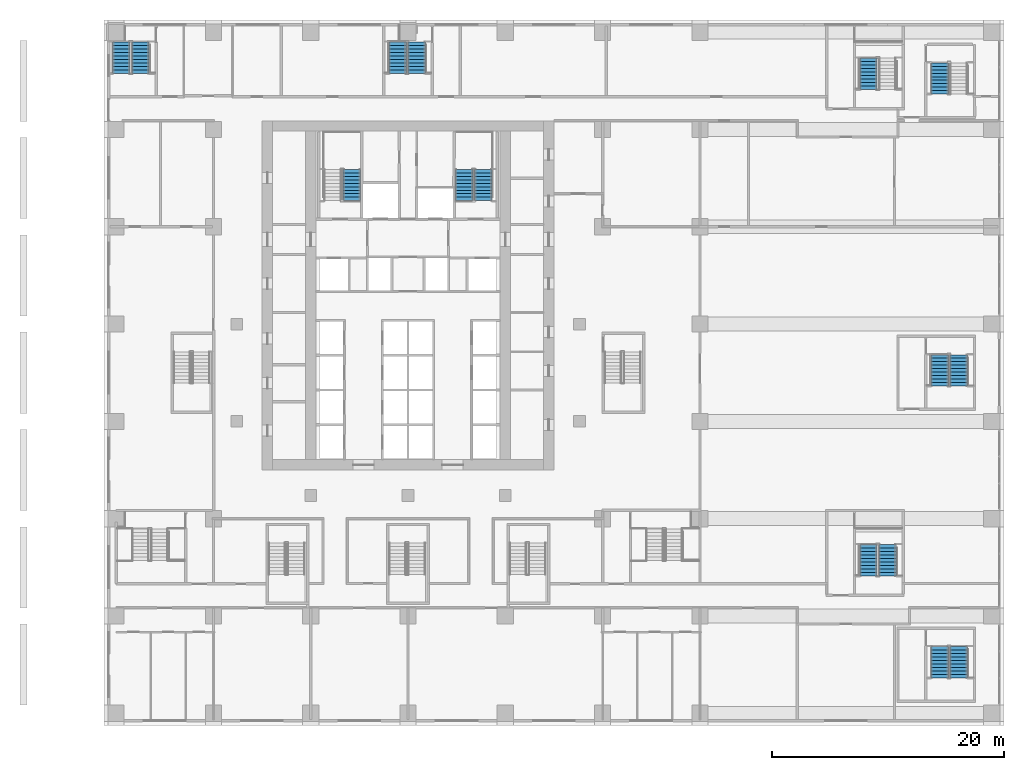
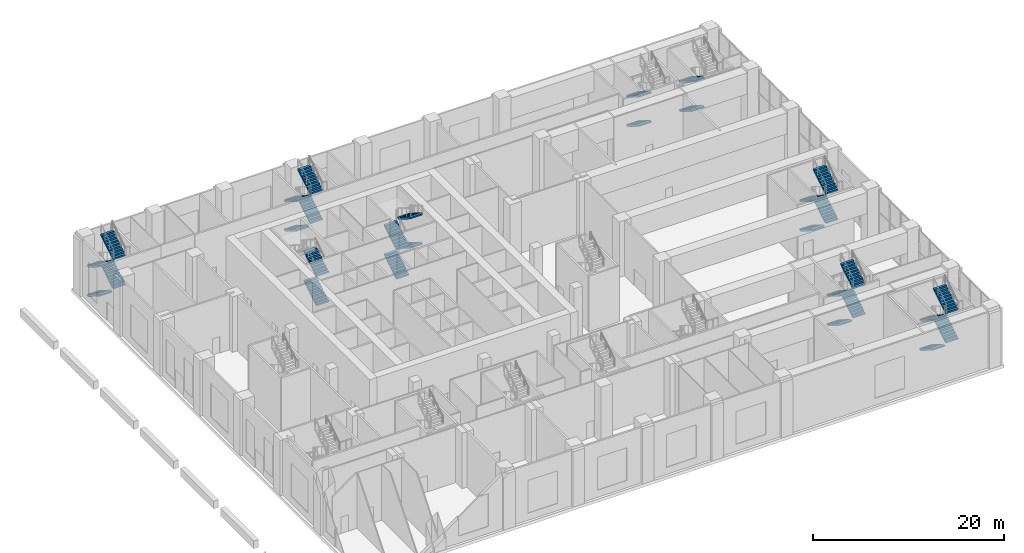
# One storey, part 16 of 29: 30 stair flights, 9 elements without a shape of their own.
"""IFC4 building model written with IfcOpenShell, lengths in metres."""

from ifc_helpers import new_model, si_unit, direction, frame, origin, place, context, subcontext, project, spatial, polyline, outline, extrude, material, type_object, element, aggregate, save


model = new_model("IFC4")

# Units and contexts
model_context = context("Model", 3, precision=1e-05, world=origin(), true_north=direction((0.0, 1.0)))
body_context = subcontext(model_context, "Body", "Model", "MODEL_VIEW")
ifc_project = project(units=[si_unit("LENGTHUNIT", "METRE"), si_unit("AREAUNIT", "SQUARE_METRE"), si_unit("VOLUMEUNIT", "CUBIC_METRE"), si_unit("PLANEANGLEUNIT", "RADIAN"), si_unit("MASSUNIT", "GRAM", prefix="KILO")], contexts=[model_context])

# Site, building, storey
site_placement = place(None, origin())
site = spatial("IfcSite", under=ifc_project, at=site_placement, CompositionType="ELEMENT")
building_placement = place(site_placement, origin())
building = spatial("IfcBuilding", under=site, at=building_placement, Name="Vermilion Ogive Tower", CompositionType="ELEMENT")
storey_placement = place(building_placement, frame((0.0, 0.0, 12.5)))
storey = spatial("IfcBuildingStorey", under=building, at=storey_placement, Name="L02", CompositionType="ELEMENT", Elevation=12.5)

# Stair, stair flights
ifc_material_1 = material(Name="Concrete B40", Category="concrete")
stair_type = type_object("IfcStairType", Name="Exit stair 1500", PredefinedType="HALF_TURN_STAIR", material=ifc_material_1)
stair_1_placement = place(storey_placement, origin())
stair_1 = element("IfcStair", 1, at=stair_1_placement, inside=storey, type_object=stair_type, Name="L02 Exit Stair ST1", PredefinedType="HALF_TURN_STAIR")
ifc_material_2 = material(Name="Concrete B40", Category="concrete")
stair_flight_type = type_object("IfcStairFlightType", Name="Stair flight 1500", PredefinedType="STRAIGHT", material=ifc_material_2)
stair_flight_1_placement = place(storey_placement, frame((-4.85009765625, 14.85009765625, 0.0), z_axis=(0.0, 0.0, 1.0), x_axis=(0.0, 1.0, 0.0)))
stair_flight_1 = element("IfcStairFlight", 2, at=stair_flight_1_placement, type_object=stair_flight_type, Name="ST1 flight 1", NumberOfRisers=10, NumberOfTreads=9, PredefinedType="STRAIGHT", RiserHeight=0.1875, TreadLength=0.3, context=body_context, shape_type="SweptSolid", body=[
    extrude(outline(polyline([(0.0, 0.0), (0.0, 0.1875), (0.300048828125, 0.1875), (0.300048828125, 0.375), (0.60009765625, 0.375), (0.60009765625, 0.5625), (0.89990234375, 0.5625), (0.89990234375, 0.75), (1.199951171875, 0.75), (1.199951171875, 0.9375), (1.5, 0.9375), (1.5, 1.125), (1.800048828125, 1.125), (1.800048828125, 1.3125), (2.10009765625, 1.3125), (2.10009765625, 1.5), (2.39990234375, 1.5), (2.39990234375, 1.6875), (2.699951171875, 1.6875), (2.699951171875, 1.875), (2.699951171875, 1.5107421875), (0.28271484375, 0.0), (0.0, 0.0)])), frame((0.0, 0.75, 0.0), z_axis=(0.0, -1.0, 0.0), x_axis=(1.0, 0.0, 0.0)), (0.0, 0.0, 1.0), 1.5),
])
stair_flight_2_placement = place(storey_placement, frame((-4.85009765625, 14.85009765625, 3.75), z_axis=(0.0, 0.0, 1.0), x_axis=(0.0, 1.0, 0.0)))
stair_flight_2 = element("IfcStairFlight", 3, at=stair_flight_2_placement, type_object=stair_flight_type, Name="ST1 flight 3", NumberOfRisers=10, NumberOfTreads=9, PredefinedType="STRAIGHT", RiserHeight=0.1875, TreadLength=0.3, context=body_context, shape_type="SweptSolid", body=[
    extrude(outline(polyline([(0.0, 0.0), (0.0, 0.1875), (0.300048828125, 0.1875), (0.300048828125, 0.375), (0.60009765625, 0.375), (0.60009765625, 0.5625), (0.89990234375, 0.5625), (0.89990234375, 0.75), (1.199951171875, 0.75), (1.199951171875, 0.9375), (1.5, 0.9375), (1.5, 1.125), (1.800048828125, 1.125), (1.800048828125, 1.3125), (2.10009765625, 1.3125), (2.10009765625, 1.5), (2.39990234375, 1.5), (2.39990234375, 1.6875), (2.699951171875, 1.6875), (2.699951171875, 1.875), (2.699951171875, 1.5107421875), (0.28271484375, 0.0), (0.0, 0.0)])), frame((0.0, 0.75, 0.0), z_axis=(0.0, -1.0, 0.0), x_axis=(1.0, 0.0, 0.0)), (0.0, 0.0, 1.0), 1.5),
])
aggregate(stair_1, [stair_flight_1, stair_flight_2])

stair_2_placement = place(storey_placement, origin())
stair_2 = element("IfcStair", 4, at=stair_2_placement, inside=storey, type_object=stair_type, Name="L02 Exit Stair ST2", PredefinedType="HALF_TURN_STAIR")
stair_flight_3_placement = place(storey_placement, frame((4.85009765625, 14.85009765625, 0.0), z_axis=(0.0, 0.0, 1.0), x_axis=(0.0, 1.0, 0.0)))
stair_flight_3 = element("IfcStairFlight", 5, at=stair_flight_3_placement, type_object=stair_flight_type, Name="ST2 flight 1", NumberOfRisers=10, NumberOfTreads=9, PredefinedType="STRAIGHT", RiserHeight=0.1875, TreadLength=0.3, context=body_context, shape_type="SweptSolid", body=[
    extrude(outline(polyline([(0.0, 0.0), (0.0, 0.1875), (0.300048828125, 0.1875), (0.300048828125, 0.375), (0.60009765625, 0.375), (0.60009765625, 0.5625), (0.89990234375, 0.5625), (0.89990234375, 0.75), (1.199951171875, 0.75), (1.199951171875, 0.9375), (1.5, 0.9375), (1.5, 1.125), (1.800048828125, 1.125), (1.800048828125, 1.3125), (2.10009765625, 1.3125), (2.10009765625, 1.5), (2.39990234375, 1.5), (2.39990234375, 1.6875), (2.699951171875, 1.6875), (2.699951171875, 1.875), (2.699951171875, 1.5107421875), (0.28271484375, 0.0), (0.0, 0.0)])), frame((0.0, 0.75, 0.0), z_axis=(0.0, -1.0, 0.0), x_axis=(1.0, 0.0, 0.0)), (0.0, 0.0, 1.0), 1.5),
])
stair_flight_4_placement = place(storey_placement, frame((6.5, 17.550048828125, 1.875), z_axis=(0.0, 0.0, 1.0), x_axis=(0.0, -1.0, 0.0)))
stair_flight_4 = element("IfcStairFlight", 6, at=stair_flight_4_placement, type_object=stair_flight_type, Name="ST2 flight 2", NumberOfRisers=10, NumberOfTreads=9, PredefinedType="STRAIGHT", RiserHeight=0.1875, TreadLength=0.3, context=body_context, shape_type="SweptSolid", body=[
    extrude(outline(polyline([(0.0, 0.0), (0.0, 0.1875), (0.300048828125, 0.1875), (0.300048828125, 0.375), (0.60009765625, 0.375), (0.60009765625, 0.5625), (0.89990234375, 0.5625), (0.89990234375, 0.75), (1.199951171875, 0.75), (1.199951171875, 0.9375), (1.5, 0.9375), (1.5, 1.125), (1.800048828125, 1.125), (1.800048828125, 1.3125), (2.10009765625, 1.3125), (2.10009765625, 1.5), (2.39990234375, 1.5), (2.39990234375, 1.6875), (2.699951171875, 1.6875), (2.699951171875, 1.875), (2.699951171875, 1.5107421875), (0.28271484375, 0.0), (0.0, 0.0)])), frame((0.0, 0.75, 0.0), z_axis=(0.0, -1.0, 0.0), x_axis=(1.0, 0.0, 0.0)), (0.0, 0.0, 1.0), 1.5),
])
stair_flight_5_placement = place(storey_placement, frame((4.85009765625, 14.85009765625, 3.75), z_axis=(0.0, 0.0, 1.0), x_axis=(0.0, 1.0, 0.0)))
stair_flight_5 = element("IfcStairFlight", 7, at=stair_flight_5_placement, type_object=stair_flight_type, Name="ST2 flight 3", NumberOfRisers=10, NumberOfTreads=9, PredefinedType="STRAIGHT", RiserHeight=0.1875, TreadLength=0.3, context=body_context, shape_type="SweptSolid", body=[
    extrude(outline(polyline([(0.0, 0.0), (0.0, 0.1875), (0.300048828125, 0.1875), (0.300048828125, 0.375), (0.60009765625, 0.375), (0.60009765625, 0.5625), (0.89990234375, 0.5625), (0.89990234375, 0.75), (1.199951171875, 0.75), (1.199951171875, 0.9375), (1.5, 0.9375), (1.5, 1.125), (1.800048828125, 1.125), (1.800048828125, 1.3125), (2.10009765625, 1.3125), (2.10009765625, 1.5), (2.39990234375, 1.5), (2.39990234375, 1.6875), (2.699951171875, 1.6875), (2.699951171875, 1.875), (2.699951171875, 1.5107421875), (0.28271484375, 0.0), (0.0, 0.0)])), frame((0.0, 0.75, 0.0), z_axis=(0.0, -1.0, 0.0), x_axis=(1.0, 0.0, 0.0)), (0.0, 0.0, 1.0), 1.5),
])
stair_flight_6_placement = place(storey_placement, frame((6.5, 17.550048828125, 5.625), z_axis=(0.0, 0.0, 1.0), x_axis=(0.0, -1.0, 0.0)))
stair_flight_6 = element("IfcStairFlight", 8, at=stair_flight_6_placement, type_object=stair_flight_type, Name="ST2 flight 4", NumberOfRisers=10, NumberOfTreads=9, PredefinedType="STRAIGHT", RiserHeight=0.1875, TreadLength=0.3, context=body_context, shape_type="SweptSolid", body=[
    extrude(outline(polyline([(0.0, 0.0), (0.0, 0.1875), (0.300048828125, 0.1875), (0.300048828125, 0.375), (0.60009765625, 0.375), (0.60009765625, 0.5625), (0.89990234375, 0.5625), (0.89990234375, 0.75), (1.199951171875, 0.75), (1.199951171875, 0.9375), (1.5, 0.9375), (1.5, 1.125), (1.800048828125, 1.125), (1.800048828125, 1.3125), (2.10009765625, 1.3125), (2.10009765625, 1.5), (2.39990234375, 1.5), (2.39990234375, 1.6875), (2.699951171875, 1.6875), (2.699951171875, 1.875), (2.699951171875, 1.5107421875), (0.28271484375, 0.0), (0.0, 0.0)])), frame((0.0, 0.75, 0.0), z_axis=(0.0, -1.0, 0.0), x_axis=(1.0, 0.0, 0.0)), (0.0, 0.0, 1.0), 1.5),
])
aggregate(stair_2, [stair_flight_3, stair_flight_4, stair_flight_5, stair_flight_6])

stair_3_placement = place(storey_placement, origin())
stair_3 = element("IfcStair", 9, at=stair_3_placement, inside=storey, type_object=stair_type, Name="L02 Exit Stair PS1", PredefinedType="HALF_TURN_STAIR")
stair_flight_7_placement = place(storey_placement, frame((-24.75, 28.550048828125, 0.0), z_axis=(0.0, 0.0, 1.0), x_axis=(0.0, -1.0, 0.0)))
stair_flight_7 = element("IfcStairFlight", 10, at=stair_flight_7_placement, type_object=stair_flight_type, Name="PS1 flight 1", NumberOfRisers=10, NumberOfTreads=9, PredefinedType="STRAIGHT", RiserHeight=0.1875, TreadLength=0.3, context=body_context, shape_type="SweptSolid", body=[
    extrude(outline(polyline([(0.0, 0.0), (0.0, 0.1875), (0.300048828125, 0.1875), (0.300048828125, 0.375), (0.60009765625, 0.375), (0.60009765625, 0.5625), (0.89990234375, 0.5625), (0.89990234375, 0.75), (1.199951171875, 0.75), (1.199951171875, 0.9375), (1.5, 0.9375), (1.5, 1.125), (1.800048828125, 1.125), (1.800048828125, 1.3125), (2.10009765625, 1.3125), (2.10009765625, 1.5), (2.39990234375, 1.5), (2.39990234375, 1.6875), (2.699951171875, 1.6875), (2.699951171875, 1.875), (2.699951171875, 1.5107421875), (0.28271484375, 0.0), (0.0, 0.0)])), frame((0.0, 0.75, 0.0), z_axis=(0.0, -1.0, 0.0), x_axis=(1.0, 0.0, 0.0)), (0.0, 0.0, 1.0), 1.5),
])
stair_flight_8_placement = place(storey_placement, frame((-23.10009765625, 25.85009765625, 1.875), z_axis=(0.0, 0.0, 1.0), x_axis=(0.0, 1.0, 0.0)))
stair_flight_8 = element("IfcStairFlight", 11, at=stair_flight_8_placement, type_object=stair_flight_type, Name="PS1 flight 2", NumberOfRisers=10, NumberOfTreads=9, PredefinedType="STRAIGHT", RiserHeight=0.1875, TreadLength=0.3, context=body_context, shape_type="SweptSolid", body=[
    extrude(outline(polyline([(0.0, 0.0), (0.0, 0.1875), (0.300048828125, 0.1875), (0.300048828125, 0.375), (0.60009765625, 0.375), (0.60009765625, 0.5625), (0.89990234375, 0.5625), (0.89990234375, 0.75), (1.199951171875, 0.75), (1.199951171875, 0.9375), (1.5, 0.9375), (1.5, 1.125), (1.800048828125, 1.125), (1.800048828125, 1.3125), (2.10009765625, 1.3125), (2.10009765625, 1.5), (2.39990234375, 1.5), (2.39990234375, 1.6875), (2.699951171875, 1.6875), (2.699951171875, 1.875), (2.699951171875, 1.5107421875), (0.28271484375, 0.0), (0.0, 0.0)])), frame((0.0, 0.75, 0.0), z_axis=(0.0, -1.0, 0.0), x_axis=(1.0, 0.0, 0.0)), (0.0, 0.0, 1.0), 1.5),
])
stair_flight_9_placement = place(storey_placement, frame((-24.75, 28.550048828125, 3.75), z_axis=(0.0, 0.0, 1.0), x_axis=(0.0, -1.0, 0.0)))
stair_flight_9 = element("IfcStairFlight", 12, at=stair_flight_9_placement, type_object=stair_flight_type, Name="PS1 flight 3", NumberOfRisers=10, NumberOfTreads=9, PredefinedType="STRAIGHT", RiserHeight=0.1875, TreadLength=0.3, context=body_context, shape_type="SweptSolid", body=[
    extrude(outline(polyline([(0.0, 0.0), (0.0, 0.1875), (0.300048828125, 0.1875), (0.300048828125, 0.375), (0.60009765625, 0.375), (0.60009765625, 0.5625), (0.89990234375, 0.5625), (0.89990234375, 0.75), (1.199951171875, 0.75), (1.199951171875, 0.9375), (1.5, 0.9375), (1.5, 1.125), (1.800048828125, 1.125), (1.800048828125, 1.3125), (2.10009765625, 1.3125), (2.10009765625, 1.5), (2.39990234375, 1.5), (2.39990234375, 1.6875), (2.699951171875, 1.6875), (2.699951171875, 1.875), (2.699951171875, 1.5107421875), (0.28271484375, 0.0), (0.0, 0.0)])), frame((0.0, 0.75, 0.0), z_axis=(0.0, -1.0, 0.0), x_axis=(1.0, 0.0, 0.0)), (0.0, 0.0, 1.0), 1.5),
])
stair_flight_10_placement = place(storey_placement, frame((-23.10009765625, 25.85009765625, 5.625), z_axis=(0.0, 0.0, 1.0), x_axis=(0.0, 1.0, 0.0)))
stair_flight_10 = element("IfcStairFlight", 13, at=stair_flight_10_placement, type_object=stair_flight_type, Name="PS1 flight 4", NumberOfRisers=10, NumberOfTreads=9, PredefinedType="STRAIGHT", RiserHeight=0.1875, TreadLength=0.3, context=body_context, shape_type="SweptSolid", body=[
    extrude(outline(polyline([(0.0, 0.0), (0.0, 0.1875), (0.300048828125, 0.1875), (0.300048828125, 0.375), (0.60009765625, 0.375), (0.60009765625, 0.5625), (0.89990234375, 0.5625), (0.89990234375, 0.75), (1.199951171875, 0.75), (1.199951171875, 0.9375), (1.5, 0.9375), (1.5, 1.125), (1.800048828125, 1.125), (1.800048828125, 1.3125), (2.10009765625, 1.3125), (2.10009765625, 1.5), (2.39990234375, 1.5), (2.39990234375, 1.6875), (2.699951171875, 1.6875), (2.699951171875, 1.875), (2.699951171875, 1.5107421875), (0.28271484375, 0.0), (0.0, 0.0)])), frame((0.0, 0.75, 0.0), z_axis=(0.0, -1.0, 0.0), x_axis=(1.0, 0.0, 0.0)), (0.0, 0.0, 1.0), 1.5),
])
aggregate(stair_3, [stair_flight_7, stair_flight_8, stair_flight_9, stair_flight_10])

stair_4_placement = place(storey_placement, origin())
stair_4 = element("IfcStair", 14, at=stair_4_placement, inside=storey, type_object=stair_type, Name="L02 Exit Stair PS2", PredefinedType="HALF_TURN_STAIR")
stair_flight_11_placement = place(storey_placement, frame((39.75, 27.14990234375, 0.0), z_axis=(0.0, 0.0, 1.0), x_axis=(0.0, -1.0, 0.0)))
stair_flight_11 = element("IfcStairFlight", 15, at=stair_flight_11_placement, type_object=stair_flight_type, Name="PS2 flight 1", NumberOfRisers=10, NumberOfTreads=9, PredefinedType="STRAIGHT", RiserHeight=0.1875, TreadLength=0.3, context=body_context, shape_type="SweptSolid", body=[
    extrude(outline(polyline([(0.0, 0.0), (0.0, 0.1875), (0.300048828125, 0.1875), (0.300048828125, 0.375), (0.60009765625, 0.375), (0.60009765625, 0.5625), (0.89990234375, 0.5625), (0.89990234375, 0.75), (1.199951171875, 0.75), (1.199951171875, 0.9375), (1.5, 0.9375), (1.5, 1.125), (1.800048828125, 1.125), (1.800048828125, 1.3125), (2.10009765625, 1.3125), (2.10009765625, 1.5), (2.39990234375, 1.5), (2.39990234375, 1.6875), (2.699951171875, 1.6875), (2.699951171875, 1.875), (2.699951171875, 1.5107421875), (0.28271484375, 0.0), (0.0, 0.0)])), frame((0.0, 0.75, 0.0), z_axis=(0.0, -1.0, 0.0), x_axis=(1.0, 0.0, 0.0)), (0.0, 0.0, 1.0), 1.5),
])
stair_flight_12_placement = place(storey_placement, frame((39.75, 27.14990234375, 3.75), z_axis=(0.0, 0.0, 1.0), x_axis=(0.0, -1.0, 0.0)))
stair_flight_12 = element("IfcStairFlight", 16, at=stair_flight_12_placement, type_object=stair_flight_type, Name="PS2 flight 3", NumberOfRisers=10, NumberOfTreads=9, PredefinedType="STRAIGHT", RiserHeight=0.1875, TreadLength=0.3, context=body_context, shape_type="SweptSolid", body=[
    extrude(outline(polyline([(0.0, 0.0), (0.0, 0.1875), (0.300048828125, 0.1875), (0.300048828125, 0.375), (0.60009765625, 0.375), (0.60009765625, 0.5625), (0.89990234375, 0.5625), (0.89990234375, 0.75), (1.199951171875, 0.75), (1.199951171875, 0.9375), (1.5, 0.9375), (1.5, 1.125), (1.800048828125, 1.125), (1.800048828125, 1.3125), (2.10009765625, 1.3125), (2.10009765625, 1.5), (2.39990234375, 1.5), (2.39990234375, 1.6875), (2.699951171875, 1.6875), (2.699951171875, 1.875), (2.699951171875, 1.5107421875), (0.28271484375, 0.0), (0.0, 0.0)])), frame((0.0, 0.75, 0.0), z_axis=(0.0, -1.0, 0.0), x_axis=(1.0, 0.0, 0.0)), (0.0, 0.0, 1.0), 1.5),
])
aggregate(stair_4, [stair_flight_11, stair_flight_12])

stair_5_placement = place(storey_placement, origin())
stair_5 = element("IfcStair", 17, at=stair_5_placement, inside=storey, type_object=stair_type, Name="L02 Exit Stair PS5", PredefinedType="HALF_TURN_STAIR")
stair_flight_13_placement = place(storey_placement, frame((-0.89990234375, 28.550048828125, 0.0), z_axis=(0.0, 0.0, 1.0), x_axis=(0.0, -1.0, 0.0)))
stair_flight_13 = element("IfcStairFlight", 18, at=stair_flight_13_placement, type_object=stair_flight_type, Name="PS5 flight 1", NumberOfRisers=10, NumberOfTreads=9, PredefinedType="STRAIGHT", RiserHeight=0.1875, TreadLength=0.3, context=body_context, shape_type="SweptSolid", body=[
    extrude(outline(polyline([(0.0, 0.0), (0.0, 0.1875), (0.300048828125, 0.1875), (0.300048828125, 0.375), (0.60009765625, 0.375), (0.60009765625, 0.5625), (0.89990234375, 0.5625), (0.89990234375, 0.75), (1.199951171875, 0.75), (1.199951171875, 0.9375), (1.5, 0.9375), (1.5, 1.125), (1.800048828125, 1.125), (1.800048828125, 1.3125), (2.10009765625, 1.3125), (2.10009765625, 1.5), (2.39990234375, 1.5), (2.39990234375, 1.6875), (2.699951171875, 1.6875), (2.699951171875, 1.875), (2.699951171875, 1.5107421875), (0.28271484375, 0.0), (0.0, 0.0)])), frame((0.0, 0.75, 0.0), z_axis=(0.0, -1.0, 0.0), x_axis=(1.0, 0.0, 0.0)), (0.0, 0.0, 1.0), 1.5),
])
stair_flight_14_placement = place(storey_placement, frame((0.75, 25.85009765625, 1.875), z_axis=(0.0, 0.0, 1.0), x_axis=(0.0, 1.0, 0.0)))
stair_flight_14 = element("IfcStairFlight", 19, at=stair_flight_14_placement, type_object=stair_flight_type, Name="PS5 flight 2", NumberOfRisers=10, NumberOfTreads=9, PredefinedType="STRAIGHT", RiserHeight=0.1875, TreadLength=0.3, context=body_context, shape_type="SweptSolid", body=[
    extrude(outline(polyline([(0.0, 0.0), (0.0, 0.1875), (0.300048828125, 0.1875), (0.300048828125, 0.375), (0.60009765625, 0.375), (0.60009765625, 0.5625), (0.89990234375, 0.5625), (0.89990234375, 0.75), (1.199951171875, 0.75), (1.199951171875, 0.9375), (1.5, 0.9375), (1.5, 1.125), (1.800048828125, 1.125), (1.800048828125, 1.3125), (2.10009765625, 1.3125), (2.10009765625, 1.5), (2.39990234375, 1.5), (2.39990234375, 1.6875), (2.699951171875, 1.6875), (2.699951171875, 1.875), (2.699951171875, 1.5107421875), (0.28271484375, 0.0), (0.0, 0.0)])), frame((0.0, 0.75, 0.0), z_axis=(0.0, -1.0, 0.0), x_axis=(1.0, 0.0, 0.0)), (0.0, 0.0, 1.0), 1.5),
])
stair_flight_15_placement = place(storey_placement, frame((-0.89990234375, 28.550048828125, 3.75), z_axis=(0.0, 0.0, 1.0), x_axis=(0.0, -1.0, 0.0)))
stair_flight_15 = element("IfcStairFlight", 20, at=stair_flight_15_placement, type_object=stair_flight_type, Name="PS5 flight 3", NumberOfRisers=10, NumberOfTreads=9, PredefinedType="STRAIGHT", RiserHeight=0.1875, TreadLength=0.3, context=body_context, shape_type="SweptSolid", body=[
    extrude(outline(polyline([(0.0, 0.0), (0.0, 0.1875), (0.300048828125, 0.1875), (0.300048828125, 0.375), (0.60009765625, 0.375), (0.60009765625, 0.5625), (0.89990234375, 0.5625), (0.89990234375, 0.75), (1.199951171875, 0.75), (1.199951171875, 0.9375), (1.5, 0.9375), (1.5, 1.125), (1.800048828125, 1.125), (1.800048828125, 1.3125), (2.10009765625, 1.3125), (2.10009765625, 1.5), (2.39990234375, 1.5), (2.39990234375, 1.6875), (2.699951171875, 1.6875), (2.699951171875, 1.875), (2.699951171875, 1.5107421875), (0.28271484375, 0.0), (0.0, 0.0)])), frame((0.0, 0.75, 0.0), z_axis=(0.0, -1.0, 0.0), x_axis=(1.0, 0.0, 0.0)), (0.0, 0.0, 1.0), 1.5),
])
stair_flight_16_placement = place(storey_placement, frame((0.75, 25.85009765625, 5.625), z_axis=(0.0, 0.0, 1.0), x_axis=(0.0, 1.0, 0.0)))
stair_flight_16 = element("IfcStairFlight", 21, at=stair_flight_16_placement, type_object=stair_flight_type, Name="PS5 flight 4", NumberOfRisers=10, NumberOfTreads=9, PredefinedType="STRAIGHT", RiserHeight=0.1875, TreadLength=0.3, context=body_context, shape_type="SweptSolid", body=[
    extrude(outline(polyline([(0.0, 0.0), (0.0, 0.1875), (0.300048828125, 0.1875), (0.300048828125, 0.375), (0.60009765625, 0.375), (0.60009765625, 0.5625), (0.89990234375, 0.5625), (0.89990234375, 0.75), (1.199951171875, 0.75), (1.199951171875, 0.9375), (1.5, 0.9375), (1.5, 1.125), (1.800048828125, 1.125), (1.800048828125, 1.3125), (2.10009765625, 1.3125), (2.10009765625, 1.5), (2.39990234375, 1.5), (2.39990234375, 1.6875), (2.699951171875, 1.6875), (2.699951171875, 1.875), (2.699951171875, 1.5107421875), (0.28271484375, 0.0), (0.0, 0.0)])), frame((0.0, 0.75, 0.0), z_axis=(0.0, -1.0, 0.0), x_axis=(1.0, 0.0, 0.0)), (0.0, 0.0, 1.0), 1.5),
])
aggregate(stair_5, [stair_flight_13, stair_flight_14, stair_flight_15, stair_flight_16])

stair_6_placement = place(storey_placement, origin())
stair_6 = element("IfcStair", 22, at=stair_6_placement, inside=storey, type_object=stair_type, Name="L02 Exit Stair PS6", PredefinedType="HALF_TURN_STAIR")
stair_flight_17_placement = place(storey_placement, frame((39.75, -14.85009765625, 0.0), z_axis=(0.0, 0.0, 1.0), x_axis=(0.0, -1.0, 0.0)))
stair_flight_17 = element("IfcStairFlight", 23, at=stair_flight_17_placement, type_object=stair_flight_type, Name="PS6 flight 1", NumberOfRisers=10, NumberOfTreads=9, PredefinedType="STRAIGHT", RiserHeight=0.1875, TreadLength=0.3, context=body_context, shape_type="SweptSolid", body=[
    extrude(outline(polyline([(0.0, 0.0), (0.0, 0.1875), (0.300048828125, 0.1875), (0.300048828125, 0.375), (0.60009765625, 0.375), (0.60009765625, 0.5625), (0.89990234375, 0.5625), (0.89990234375, 0.75), (1.199951171875, 0.75), (1.199951171875, 0.9375), (1.5, 0.9375), (1.5, 1.125), (1.800048828125, 1.125), (1.800048828125, 1.3125), (2.10009765625, 1.3125), (2.10009765625, 1.5), (2.39990234375, 1.5), (2.39990234375, 1.6875), (2.699951171875, 1.6875), (2.699951171875, 1.875), (2.699951171875, 1.5107421875), (0.28271484375, 0.0), (0.0, 0.0)])), frame((0.0, 0.75, 0.0), z_axis=(0.0, -1.0, 0.0), x_axis=(1.0, 0.0, 0.0)), (0.0, 0.0, 1.0), 1.5),
])
stair_flight_18_placement = place(storey_placement, frame((41.39990234375, -17.550048828125, 1.875), z_axis=(0.0, 0.0, 1.0), x_axis=(0.0, 1.0, 0.0)))
stair_flight_18 = element("IfcStairFlight", 24, at=stair_flight_18_placement, type_object=stair_flight_type, Name="PS6 flight 2", NumberOfRisers=10, NumberOfTreads=9, PredefinedType="STRAIGHT", RiserHeight=0.1875, TreadLength=0.3, context=body_context, shape_type="SweptSolid", body=[
    extrude(outline(polyline([(0.0, 0.0), (0.0, 0.1875), (0.300048828125, 0.1875), (0.300048828125, 0.375), (0.60009765625, 0.375), (0.60009765625, 0.5625), (0.89990234375, 0.5625), (0.89990234375, 0.75), (1.199951171875, 0.75), (1.199951171875, 0.9375), (1.5, 0.9375), (1.5, 1.125), (1.800048828125, 1.125), (1.800048828125, 1.3125), (2.10009765625, 1.3125), (2.10009765625, 1.5), (2.39990234375, 1.5), (2.39990234375, 1.6875), (2.699951171875, 1.6875), (2.699951171875, 1.875), (2.699951171875, 1.5107421875), (0.28271484375, 0.0), (0.0, 0.0)])), frame((0.0, 0.75, 0.0), z_axis=(0.0, -1.0, 0.0), x_axis=(1.0, 0.0, 0.0)), (0.0, 0.0, 1.0), 1.5),
])
stair_flight_19_placement = place(storey_placement, frame((39.75, -14.85009765625, 3.75), z_axis=(0.0, 0.0, 1.0), x_axis=(0.0, -1.0, 0.0)))
stair_flight_19 = element("IfcStairFlight", 25, at=stair_flight_19_placement, type_object=stair_flight_type, Name="PS6 flight 3", NumberOfRisers=10, NumberOfTreads=9, PredefinedType="STRAIGHT", RiserHeight=0.1875, TreadLength=0.3, context=body_context, shape_type="SweptSolid", body=[
    extrude(outline(polyline([(0.0, 0.0), (0.0, 0.1875), (0.300048828125, 0.1875), (0.300048828125, 0.375), (0.60009765625, 0.375), (0.60009765625, 0.5625), (0.89990234375, 0.5625), (0.89990234375, 0.75), (1.199951171875, 0.75), (1.199951171875, 0.9375), (1.5, 0.9375), (1.5, 1.125), (1.800048828125, 1.125), (1.800048828125, 1.3125), (2.10009765625, 1.3125), (2.10009765625, 1.5), (2.39990234375, 1.5), (2.39990234375, 1.6875), (2.699951171875, 1.6875), (2.699951171875, 1.875), (2.699951171875, 1.5107421875), (0.28271484375, 0.0), (0.0, 0.0)])), frame((0.0, 0.75, 0.0), z_axis=(0.0, -1.0, 0.0), x_axis=(1.0, 0.0, 0.0)), (0.0, 0.0, 1.0), 1.5),
])
stair_flight_20_placement = place(storey_placement, frame((41.39990234375, -17.550048828125, 5.625), z_axis=(0.0, 0.0, 1.0), x_axis=(0.0, 1.0, 0.0)))
stair_flight_20 = element("IfcStairFlight", 26, at=stair_flight_20_placement, type_object=stair_flight_type, Name="PS6 flight 4", NumberOfRisers=10, NumberOfTreads=9, PredefinedType="STRAIGHT", RiserHeight=0.1875, TreadLength=0.3, context=body_context, shape_type="SweptSolid", body=[
    extrude(outline(polyline([(0.0, 0.0), (0.0, 0.1875), (0.300048828125, 0.1875), (0.300048828125, 0.375), (0.60009765625, 0.375), (0.60009765625, 0.5625), (0.89990234375, 0.5625), (0.89990234375, 0.75), (1.199951171875, 0.75), (1.199951171875, 0.9375), (1.5, 0.9375), (1.5, 1.125), (1.800048828125, 1.125), (1.800048828125, 1.3125), (2.10009765625, 1.3125), (2.10009765625, 1.5), (2.39990234375, 1.5), (2.39990234375, 1.6875), (2.699951171875, 1.6875), (2.699951171875, 1.875), (2.699951171875, 1.5107421875), (0.28271484375, 0.0), (0.0, 0.0)])), frame((0.0, 0.75, 0.0), z_axis=(0.0, -1.0, 0.0), x_axis=(1.0, 0.0, 0.0)), (0.0, 0.0, 1.0), 1.5),
])
aggregate(stair_6, [stair_flight_17, stair_flight_18, stair_flight_19, stair_flight_20])

stair_7_placement = place(storey_placement, origin())
stair_7 = element("IfcStair", 27, at=stair_7_placement, inside=storey, type_object=stair_type, Name="L02 Exit Stair PEN", PredefinedType="HALF_TURN_STAIR")
stair_flight_21_placement = place(storey_placement, frame((45.89990234375, 26.75, 0.0), z_axis=(0.0, 0.0, 1.0), x_axis=(0.0, -1.0, 0.0)))
stair_flight_21 = element("IfcStairFlight", 28, at=stair_flight_21_placement, type_object=stair_flight_type, Name="PEN flight 1", NumberOfRisers=10, NumberOfTreads=9, PredefinedType="STRAIGHT", RiserHeight=0.1875, TreadLength=0.3, context=body_context, shape_type="SweptSolid", body=[
    extrude(outline(polyline([(0.0, 0.0), (0.0, 0.1875), (0.300048828125, 0.1875), (0.300048828125, 0.375), (0.60009765625, 0.375), (0.60009765625, 0.5625), (0.89990234375, 0.5625), (0.89990234375, 0.75), (1.199951171875, 0.75), (1.199951171875, 0.9375), (1.5, 0.9375), (1.5, 1.125), (1.800048828125, 1.125), (1.800048828125, 1.3125), (2.10009765625, 1.3125), (2.10009765625, 1.5), (2.39990234375, 1.5), (2.39990234375, 1.6875), (2.699951171875, 1.6875), (2.699951171875, 1.875), (2.699951171875, 1.5107421875), (0.28271484375, 0.0), (0.0, 0.0)])), frame((0.0, 0.75, 0.0), z_axis=(0.0, -1.0, 0.0), x_axis=(1.0, 0.0, 0.0)), (0.0, 0.0, 1.0), 1.5),
])
stair_flight_22_placement = place(storey_placement, frame((45.89990234375, 26.75, 3.75), z_axis=(0.0, 0.0, 1.0), x_axis=(0.0, -1.0, 0.0)))
stair_flight_22 = element("IfcStairFlight", 29, at=stair_flight_22_placement, type_object=stair_flight_type, Name="PEN flight 3", NumberOfRisers=10, NumberOfTreads=9, PredefinedType="STRAIGHT", RiserHeight=0.1875, TreadLength=0.3, context=body_context, shape_type="SweptSolid", body=[
    extrude(outline(polyline([(0.0, 0.0), (0.0, 0.1875), (0.300048828125, 0.1875), (0.300048828125, 0.375), (0.60009765625, 0.375), (0.60009765625, 0.5625), (0.89990234375, 0.5625), (0.89990234375, 0.75), (1.199951171875, 0.75), (1.199951171875, 0.9375), (1.5, 0.9375), (1.5, 1.125), (1.800048828125, 1.125), (1.800048828125, 1.3125), (2.10009765625, 1.3125), (2.10009765625, 1.5), (2.39990234375, 1.5), (2.39990234375, 1.6875), (2.699951171875, 1.6875), (2.699951171875, 1.875), (2.699951171875, 1.5107421875), (0.28271484375, 0.0), (0.0, 0.0)])), frame((0.0, 0.75, 0.0), z_axis=(0.0, -1.0, 0.0), x_axis=(1.0, 0.0, 0.0)), (0.0, 0.0, 1.0), 1.5),
])
aggregate(stair_7, [stair_flight_21, stair_flight_22])

stair_8_placement = place(storey_placement, origin())
stair_8 = element("IfcStair", 30, at=stair_8_placement, inside=storey, type_object=stair_type, Name="L02 Exit Stair PEC", PredefinedType="HALF_TURN_STAIR")
stair_flight_23_placement = place(storey_placement, frame((45.89990234375, 1.550048828125, 0.0), z_axis=(0.0, 0.0, 1.0), x_axis=(0.0, -1.0, 0.0)))
stair_flight_23 = element("IfcStairFlight", 31, at=stair_flight_23_placement, type_object=stair_flight_type, Name="PEC flight 1", NumberOfRisers=10, NumberOfTreads=9, PredefinedType="STRAIGHT", RiserHeight=0.1875, TreadLength=0.3, context=body_context, shape_type="SweptSolid", body=[
    extrude(outline(polyline([(0.0, 0.0), (0.0, 0.1875), (0.300048828125, 0.1875), (0.300048828125, 0.375), (0.60009765625, 0.375), (0.60009765625, 0.5625), (0.89990234375, 0.5625), (0.89990234375, 0.75), (1.199951171875, 0.75), (1.199951171875, 0.9375), (1.5, 0.9375), (1.5, 1.125), (1.800048828125, 1.125), (1.800048828125, 1.3125), (2.10009765625, 1.3125), (2.10009765625, 1.5), (2.39990234375, 1.5), (2.39990234375, 1.6875), (2.699951171875, 1.6875), (2.699951171875, 1.875), (2.699951171875, 1.5107421875), (0.28271484375, 0.0), (0.0, 0.0)])), frame((0.0, 0.75, 0.0), z_axis=(0.0, -1.0, 0.0), x_axis=(1.0, 0.0, 0.0)), (0.0, 0.0, 1.0), 1.5),
])
stair_flight_24_placement = place(storey_placement, frame((47.550048828125, -1.14990234375, 1.875), z_axis=(0.0, 0.0, 1.0), x_axis=(0.0, 1.0, 0.0)))
stair_flight_24 = element("IfcStairFlight", 32, at=stair_flight_24_placement, type_object=stair_flight_type, Name="PEC flight 2", NumberOfRisers=10, NumberOfTreads=9, PredefinedType="STRAIGHT", RiserHeight=0.1875, TreadLength=0.3, context=body_context, shape_type="SweptSolid", body=[
    extrude(outline(polyline([(0.0, 0.0), (0.0, 0.1875), (0.300048828125, 0.1875), (0.300048828125, 0.375), (0.60009765625, 0.375), (0.60009765625, 0.5625), (0.89990234375, 0.5625), (0.89990234375, 0.75), (1.199951171875, 0.75), (1.199951171875, 0.9375), (1.5, 0.9375), (1.5, 1.125), (1.800048828125, 1.125), (1.800048828125, 1.3125), (2.10009765625, 1.3125), (2.10009765625, 1.5), (2.39990234375, 1.5), (2.39990234375, 1.6875), (2.699951171875, 1.6875), (2.699951171875, 1.875), (2.699951171875, 1.5107421875), (0.28271484375, 0.0), (0.0, 0.0)])), frame((0.0, 0.75, 0.0), z_axis=(0.0, -1.0, 0.0), x_axis=(1.0, 0.0, 0.0)), (0.0, 0.0, 1.0), 1.5),
])
stair_flight_25_placement = place(storey_placement, frame((45.89990234375, 1.550048828125, 3.75), z_axis=(0.0, 0.0, 1.0), x_axis=(0.0, -1.0, 0.0)))
stair_flight_25 = element("IfcStairFlight", 33, at=stair_flight_25_placement, type_object=stair_flight_type, Name="PEC flight 3", NumberOfRisers=10, NumberOfTreads=9, PredefinedType="STRAIGHT", RiserHeight=0.1875, TreadLength=0.3, context=body_context, shape_type="SweptSolid", body=[
    extrude(outline(polyline([(0.0, 0.0), (0.0, 0.1875), (0.300048828125, 0.1875), (0.300048828125, 0.375), (0.60009765625, 0.375), (0.60009765625, 0.5625), (0.89990234375, 0.5625), (0.89990234375, 0.75), (1.199951171875, 0.75), (1.199951171875, 0.9375), (1.5, 0.9375), (1.5, 1.125), (1.800048828125, 1.125), (1.800048828125, 1.3125), (2.10009765625, 1.3125), (2.10009765625, 1.5), (2.39990234375, 1.5), (2.39990234375, 1.6875), (2.699951171875, 1.6875), (2.699951171875, 1.875), (2.699951171875, 1.5107421875), (0.28271484375, 0.0), (0.0, 0.0)])), frame((0.0, 0.75, 0.0), z_axis=(0.0, -1.0, 0.0), x_axis=(1.0, 0.0, 0.0)), (0.0, 0.0, 1.0), 1.5),
])
stair_flight_26_placement = place(storey_placement, frame((47.550048828125, -1.14990234375, 5.625), z_axis=(0.0, 0.0, 1.0), x_axis=(0.0, 1.0, 0.0)))
stair_flight_26 = element("IfcStairFlight", 34, at=stair_flight_26_placement, type_object=stair_flight_type, Name="PEC flight 4", NumberOfRisers=10, NumberOfTreads=9, PredefinedType="STRAIGHT", RiserHeight=0.1875, TreadLength=0.3, context=body_context, shape_type="SweptSolid", body=[
    extrude(outline(polyline([(0.0, 0.0), (0.0, 0.1875), (0.300048828125, 0.1875), (0.300048828125, 0.375), (0.60009765625, 0.375), (0.60009765625, 0.5625), (0.89990234375, 0.5625), (0.89990234375, 0.75), (1.199951171875, 0.75), (1.199951171875, 0.9375), (1.5, 0.9375), (1.5, 1.125), (1.800048828125, 1.125), (1.800048828125, 1.3125), (2.10009765625, 1.3125), (2.10009765625, 1.5), (2.39990234375, 1.5), (2.39990234375, 1.6875), (2.699951171875, 1.6875), (2.699951171875, 1.875), (2.699951171875, 1.5107421875), (0.28271484375, 0.0), (0.0, 0.0)])), frame((0.0, 0.75, 0.0), z_axis=(0.0, -1.0, 0.0), x_axis=(1.0, 0.0, 0.0)), (0.0, 0.0, 1.0), 1.5),
])
aggregate(stair_8, [stair_flight_23, stair_flight_24, stair_flight_25, stair_flight_26])

stair_9_placement = place(storey_placement, origin())
stair_9 = element("IfcStair", 35, at=stair_9_placement, inside=storey, type_object=stair_type, Name="L02 Exit Stair PES", PredefinedType="HALF_TURN_STAIR")
stair_flight_27_placement = place(storey_placement, frame((45.89990234375, -23.64990234375, 0.0), z_axis=(0.0, 0.0, 1.0), x_axis=(0.0, -1.0, 0.0)))
stair_flight_27 = element("IfcStairFlight", 36, at=stair_flight_27_placement, type_object=stair_flight_type, Name="PES flight 1", NumberOfRisers=10, NumberOfTreads=9, PredefinedType="STRAIGHT", RiserHeight=0.1875, TreadLength=0.3, context=body_context, shape_type="SweptSolid", body=[
    extrude(outline(polyline([(0.0, 0.0), (0.0, 0.1875), (0.300048828125, 0.1875), (0.300048828125, 0.375), (0.60009765625, 0.375), (0.60009765625, 0.5625), (0.89990234375, 0.5625), (0.89990234375, 0.75), (1.199951171875, 0.75), (1.199951171875, 0.9375), (1.5, 0.9375), (1.5, 1.125), (1.800048828125, 1.125), (1.800048828125, 1.3125), (2.10009765625, 1.3125), (2.10009765625, 1.5), (2.39990234375, 1.5), (2.39990234375, 1.6875), (2.699951171875, 1.6875), (2.699951171875, 1.875), (2.699951171875, 1.5107421875), (0.28271484375, 0.0), (0.0, 0.0)])), frame((0.0, 0.75, 0.0), z_axis=(0.0, -1.0, 0.0), x_axis=(1.0, 0.0, 0.0)), (0.0, 0.0, 1.0), 1.5),
])
stair_flight_28_placement = place(storey_placement, frame((47.550048828125, -26.35009765625, 1.875), z_axis=(0.0, 0.0, 1.0), x_axis=(0.0, 1.0, 0.0)))
stair_flight_28 = element("IfcStairFlight", 37, at=stair_flight_28_placement, type_object=stair_flight_type, Name="PES flight 2", NumberOfRisers=10, NumberOfTreads=9, PredefinedType="STRAIGHT", RiserHeight=0.1875, TreadLength=0.3, context=body_context, shape_type="SweptSolid", body=[
    extrude(outline(polyline([(0.0, 0.0), (0.0, 0.1875), (0.300048828125, 0.1875), (0.300048828125, 0.375), (0.60009765625, 0.375), (0.60009765625, 0.5625), (0.89990234375, 0.5625), (0.89990234375, 0.75), (1.199951171875, 0.75), (1.199951171875, 0.9375), (1.5, 0.9375), (1.5, 1.125), (1.800048828125, 1.125), (1.800048828125, 1.3125), (2.10009765625, 1.3125), (2.10009765625, 1.5), (2.39990234375, 1.5), (2.39990234375, 1.6875), (2.699951171875, 1.6875), (2.699951171875, 1.875), (2.699951171875, 1.5107421875), (0.28271484375, 0.0), (0.0, 0.0)])), frame((0.0, 0.75, 0.0), z_axis=(0.0, -1.0, 0.0), x_axis=(1.0, 0.0, 0.0)), (0.0, 0.0, 1.0), 1.5),
])
stair_flight_29_placement = place(storey_placement, frame((45.89990234375, -23.64990234375, 3.75), z_axis=(0.0, 0.0, 1.0), x_axis=(0.0, -1.0, 0.0)))
stair_flight_29 = element("IfcStairFlight", 38, at=stair_flight_29_placement, type_object=stair_flight_type, Name="PES flight 3", NumberOfRisers=10, NumberOfTreads=9, PredefinedType="STRAIGHT", RiserHeight=0.1875, TreadLength=0.3, context=body_context, shape_type="SweptSolid", body=[
    extrude(outline(polyline([(0.0, 0.0), (0.0, 0.1875), (0.300048828125, 0.1875), (0.300048828125, 0.375), (0.60009765625, 0.375), (0.60009765625, 0.5625), (0.89990234375, 0.5625), (0.89990234375, 0.75), (1.199951171875, 0.75), (1.199951171875, 0.9375), (1.5, 0.9375), (1.5, 1.125), (1.800048828125, 1.125), (1.800048828125, 1.3125), (2.10009765625, 1.3125), (2.10009765625, 1.5), (2.39990234375, 1.5), (2.39990234375, 1.6875), (2.699951171875, 1.6875), (2.699951171875, 1.875), (2.699951171875, 1.5107421875), (0.28271484375, 0.0), (0.0, 0.0)])), frame((0.0, 0.75, 0.0), z_axis=(0.0, -1.0, 0.0), x_axis=(1.0, 0.0, 0.0)), (0.0, 0.0, 1.0), 1.5),
])
stair_flight_30_placement = place(storey_placement, frame((47.550048828125, -26.35009765625, 5.625), z_axis=(0.0, 0.0, 1.0), x_axis=(0.0, 1.0, 0.0)))
stair_flight_30 = element("IfcStairFlight", 39, at=stair_flight_30_placement, type_object=stair_flight_type, Name="PES flight 4", NumberOfRisers=10, NumberOfTreads=9, PredefinedType="STRAIGHT", RiserHeight=0.1875, TreadLength=0.3, context=body_context, shape_type="SweptSolid", body=[
    extrude(outline(polyline([(0.0, 0.0), (0.0, 0.1875), (0.300048828125, 0.1875), (0.300048828125, 0.375), (0.60009765625, 0.375), (0.60009765625, 0.5625), (0.89990234375, 0.5625), (0.89990234375, 0.75), (1.199951171875, 0.75), (1.199951171875, 0.9375), (1.5, 0.9375), (1.5, 1.125), (1.800048828125, 1.125), (1.800048828125, 1.3125), (2.10009765625, 1.3125), (2.10009765625, 1.5), (2.39990234375, 1.5), (2.39990234375, 1.6875), (2.699951171875, 1.6875), (2.699951171875, 1.875), (2.699951171875, 1.5107421875), (0.28271484375, 0.0), (0.0, 0.0)])), frame((0.0, 0.75, 0.0), z_axis=(0.0, -1.0, 0.0), x_axis=(1.0, 0.0, 0.0)), (0.0, 0.0, 1.0), 1.5),
])
aggregate(stair_9, [stair_flight_27, stair_flight_28, stair_flight_29, stair_flight_30])

save(model, "model.ifc")
